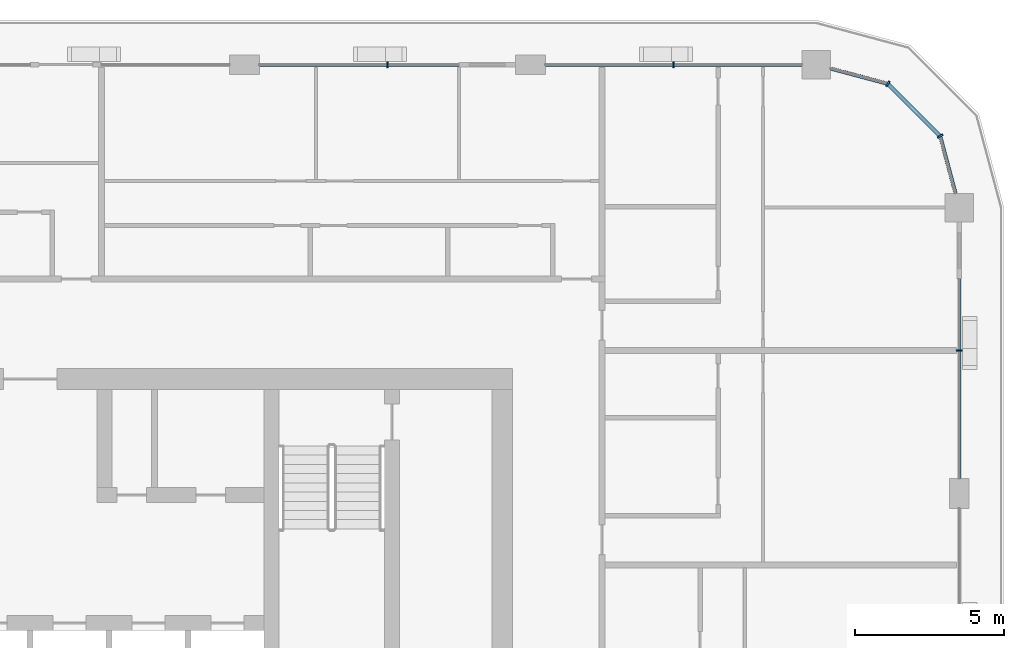
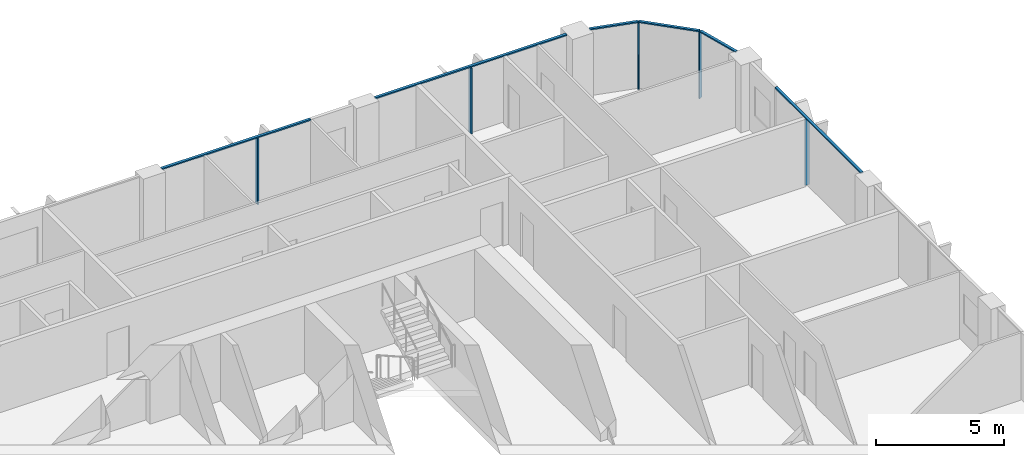
# One storey, part 6 of 22: 11 members, 4 elements without a shape of their own.
"""IFC4 building model written with IfcOpenShell, lengths in metres."""

from ifc_helpers import new_model, si_unit, direction, frame, origin, origin_2d, place, context, subcontext, project, spatial, rectangle, extrude, material, layer, layer_set, material_profile, profile_set, type_object, element, aggregate, save


model = new_model("IFC4")

# Units and contexts
model_context = context("Model", 3, precision=1e-05, world=origin(), true_north=direction((0.0, 1.0)))
body_context = subcontext(model_context, "Body", "Model", "MODEL_VIEW")
ifc_project = project(units=[si_unit("LENGTHUNIT", "METRE"), si_unit("AREAUNIT", "SQUARE_METRE"), si_unit("VOLUMEUNIT", "CUBIC_METRE"), si_unit("PLANEANGLEUNIT", "RADIAN"), si_unit("MASSUNIT", "GRAM", prefix="KILO")], contexts=[model_context])

# Site, building, storey
site_placement = place(None, origin())
site = spatial("IfcSite", under=ifc_project, at=site_placement, CompositionType="ELEMENT")
building_placement = place(site_placement, origin())
building = spatial("IfcBuilding", under=site, at=building_placement, Name="Madar Terraces", CompositionType="ELEMENT")
storey_placement = place(building_placement, frame((0.0, 0.0, 178.89990234375)))
storey = spatial("IfcBuildingStorey", under=building, at=storey_placement, Name="L46", CompositionType="ELEMENT", Elevation=178.89990234375)

# Curtain wall, member
ifc_material_1 = material(Name="Glass, ceramic frit dark grey, with black aluminium frame", Category="aluminium")
ifc_layer = layer(ifc_material_1, 0.199951171875)
ifc_layer_set = layer_set([ifc_layer], Name="Facade curtain wall, fritted glass")
curtain_wall_type = type_object("IfcCurtainWallType", Name="Facade curtain wall, fritted glass", PredefinedType="NOTDEFINED", material=ifc_layer_set)
curtain_wall_1_placement = place(storey_placement, origin())
curtain_wall_1 = element("IfcCurtainWall", 1, at=curtain_wall_1_placement, inside=storey, type_object=curtain_wall_type, Name="Outer skin curtain wall east bay 4", PredefinedType="NOTDEFINED")
ifc_material_2 = material(Name="Aluminium, black anodised", Category="aluminium")
ifc_material_profile_1 = material_profile(ifc_material_2, rectangle(XDim=0.199951171875, YDim=0.06005859375, at=origin_2d()), Name="Facade mullion 60x200")
ifc_profile_set_1 = profile_set([ifc_material_profile_1], Name="Aluminium, black anodised")
member_type_1 = type_object("IfcMemberType", Name="Facade mullion 60x200", PredefinedType="MULLION", material=ifc_profile_set_1)
member_1_placement = place(storey_placement, frame((62.39990234375, 38.39990234375, 0.0), z_axis=(0.0, 0.0, 1.0), x_axis=(-1.0, 0.0, 0.0)))
member_1 = element("IfcMember", 2, at=member_1_placement, type_object=member_type_1, Name="Mullion 1", PredefinedType="MULLION", context=body_context, shape_type="SweptSolid", body=[
    extrude(rectangle(XDim=0.199951171875, YDim=0.06005859375, at=origin_2d()), origin(), (0.0, 0.0, 1.0), 3.14013671875),
])

curtain_wall_2_placement = place(storey_placement, origin())
curtain_wall_2 = element("IfcCurtainWall", 3, at=curtain_wall_2_placement, inside=storey, type_object=curtain_wall_type, Name="Outer skin curtain wall north bay 1", PredefinedType="NOTDEFINED")
member_2_placement = place(storey_placement, frame((52.800048828125, 48.0, 0.0), z_axis=(0.0, 0.0, 1.0), x_axis=(0.0, -1.0, 0.0)))
member_2 = element("IfcMember", 4, at=member_2_placement, type_object=member_type_1, Name="Mullion 1", PredefinedType="MULLION", context=body_context, shape_type="SweptSolid", body=[
    extrude(rectangle(XDim=0.199951171875, YDim=0.06005859375, at=origin_2d()), origin(), (0.0, 0.0, 1.0), 3.14013671875),
])

curtain_wall_3_placement = place(storey_placement, origin())
curtain_wall_3 = element("IfcCurtainWall", 5, at=curtain_wall_3_placement, inside=storey, type_object=curtain_wall_type, Name="Outer skin curtain wall north bay 2", PredefinedType="NOTDEFINED")
member_3_placement = place(storey_placement, frame((43.199951171875, 48.0, 0.0), z_axis=(0.0, 0.0, 1.0), x_axis=(0.0, -1.0, 0.0)))
member_3 = element("IfcMember", 6, at=member_3_placement, type_object=member_type_1, Name="Mullion 1", PredefinedType="MULLION", context=body_context, shape_type="SweptSolid", body=[
    extrude(rectangle(XDim=0.199951171875, YDim=0.06005859375, at=origin_2d()), origin(), (0.0, 0.0, 1.0), 3.14013671875),
])

# Curtain wall, members
curtain_wall_4_placement = place(storey_placement, origin())
curtain_wall_4 = element("IfcCurtainWall", 7, at=curtain_wall_4_placement, inside=storey, type_object=curtain_wall_type, Name="Outer skin curtain wall north-east corner", PredefinedType="NOTDEFINED")
member_4_placement = place(storey_placement, frame((61.7568359375, 45.60009765625, 0.0), z_axis=(0.0, 0.0, 1.0), x_axis=(-0.866025409797, -0.499999989586, 0.0)))
member_4 = element("IfcMember", 8, at=member_4_placement, type_object=member_type_1, Name="Mullion 1", PredefinedType="MULLION", context=body_context, shape_type="SweptSolid", body=[
    extrude(rectangle(XDim=0.199951171875, YDim=0.06005859375, at=origin_2d()), origin(), (0.0, 0.0, 1.0), 3.14013671875),
])
member_5_placement = place(storey_placement, frame((60.0, 47.35693359375, 0.0), z_axis=(0.0, 0.0, 1.0), x_axis=(-0.499999989586, -0.866025409797, 0.0)))
member_5 = element("IfcMember", 9, at=member_5_placement, type_object=member_type_1, Name="Mullion 2", PredefinedType="MULLION", context=body_context, shape_type="SweptSolid", body=[
    extrude(rectangle(XDim=0.199951171875, YDim=0.06005859375, at=origin_2d()), origin(), (0.0, 0.0, 1.0), 3.14013671875),
])

# Member
ifc_material_3 = material(Name="Aluminium, black anodised", Category="aluminium")
ifc_material_profile_2 = material_profile(ifc_material_3, rectangle(XDim=0.1201171875, YDim=0.06005859375, at=origin_2d()), Name="Facade transom 60x120")
ifc_profile_set_2 = profile_set([ifc_material_profile_2], Name="Aluminium, black anodised")
member_type_2 = type_object("IfcMemberType", Name="Facade transom 60x120", PredefinedType="USERDEFINED", material=ifc_profile_set_2)
member_6_placement = place(storey_placement, frame((62.39990234375, 34.10009765625, 3.170166015625), z_axis=(0.0, 1.0, 0.0), x_axis=(-1.0, 0.0, 0.0)))
member_6 = element("IfcMember", 10, at=member_6_placement, type_object=member_type_2, Name="Transom 1", ObjectType="TRANSOM", PredefinedType="USERDEFINED", context=body_context, shape_type="SweptSolid", body=[
    extrude(rectangle(XDim=0.1201171875, YDim=0.06005859375, at=origin_2d()), origin(), (0.0, 0.0, 1.0), 6.699951171875),
])

aggregate(curtain_wall_1, [member_1, member_6])

member_7_placement = place(storey_placement, frame((57.125, 48.0, 3.170166015625), z_axis=(-1.0, 0.0, 0.0), x_axis=(0.0, -1.0, 0.0)))
member_7 = element("IfcMember", 11, at=member_7_placement, type_object=member_type_2, Name="Transom 1", ObjectType="TRANSOM", PredefinedType="USERDEFINED", context=body_context, shape_type="SweptSolid", body=[
    extrude(rectangle(XDim=0.1201171875, YDim=0.06005859375, at=origin_2d()), origin(), (0.0, 0.0, 1.0), 8.625),
])

aggregate(curtain_wall_2, [member_2, member_7])

member_8_placement = place(storey_placement, frame((45.60009765625, 48.0, 3.170166015625), z_axis=(-1.0, 0.0, 0.0), x_axis=(0.0, -1.0, 0.0)))
member_8 = element("IfcMember", 12, at=member_8_placement, type_object=member_type_2, Name="Transom 1", ObjectType="TRANSOM", PredefinedType="USERDEFINED", context=body_context, shape_type="SweptSolid", body=[
    extrude(rectangle(XDim=0.1201171875, YDim=0.06005859375, at=origin_2d()), origin(), (0.0, 0.0, 1.0), 6.7001953125),
])

aggregate(curtain_wall_3, [member_3, member_8])

member_9_placement = place(storey_placement, frame((62.272705078125, 43.675048828125, 3.170166015625), z_axis=(-0.258831412352, 0.96592251241, 0.0), x_axis=(-0.96592251241, -0.258831412352, 0.0)))
member_9 = element("IfcMember", 13, at=member_9_placement, type_object=member_type_2, Name="Transom 1", ObjectType="TRANSOM", PredefinedType="USERDEFINED", context=body_context, shape_type="SweptSolid", body=[
    extrude(rectangle(XDim=0.1201171875, YDim=0.06005859375, at=origin_2d()), origin(), (0.0, 0.0, 1.0), 1.962890625),
])

member_10_placement = place(storey_placement, frame((61.735595703125, 45.62109375, 3.170166015625), z_axis=(-0.707056433593, 0.707157125196, 0.0), x_axis=(-0.707157125196, -0.707056433593, 0.0)))
member_10 = element("IfcMember", 14, at=member_10_placement, type_object=member_type_2, Name="Transom 2", ObjectType="TRANSOM", PredefinedType="USERDEFINED", context=body_context, shape_type="SweptSolid", body=[
    extrude(rectangle(XDim=0.1201171875, YDim=0.06005859375, at=origin_2d()), origin(), (0.0, 0.0, 1.0), 2.424560546875),
])

member_11_placement = place(storey_placement, frame((59.970947265625, 47.36474609375, 3.170166015625), z_axis=(-0.96592251241, 0.258831412352, 0.0), x_axis=(-0.258831412352, -0.96592251241, 0.0)))
member_11 = element("IfcMember", 15, at=member_11_placement, type_object=member_type_2, Name="Transom 3", ObjectType="TRANSOM", PredefinedType="USERDEFINED", context=body_context, shape_type="SweptSolid", body=[
    extrude(rectangle(XDim=0.1201171875, YDim=0.06005859375, at=origin_2d()), origin(), (0.0, 0.0, 1.0), 1.962890625),
])

aggregate(curtain_wall_4, [member_4, member_9, member_5, member_10, member_11])

save(model, "model.ifc")
